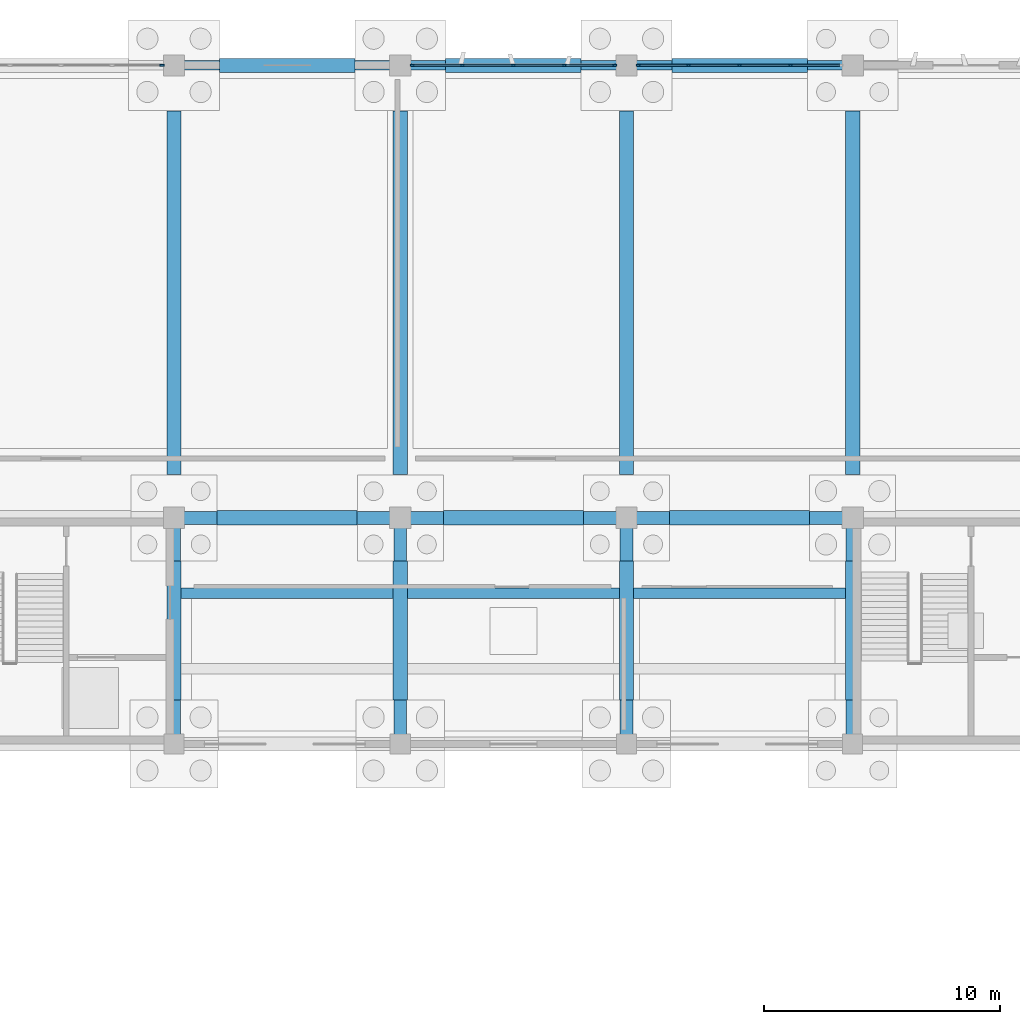
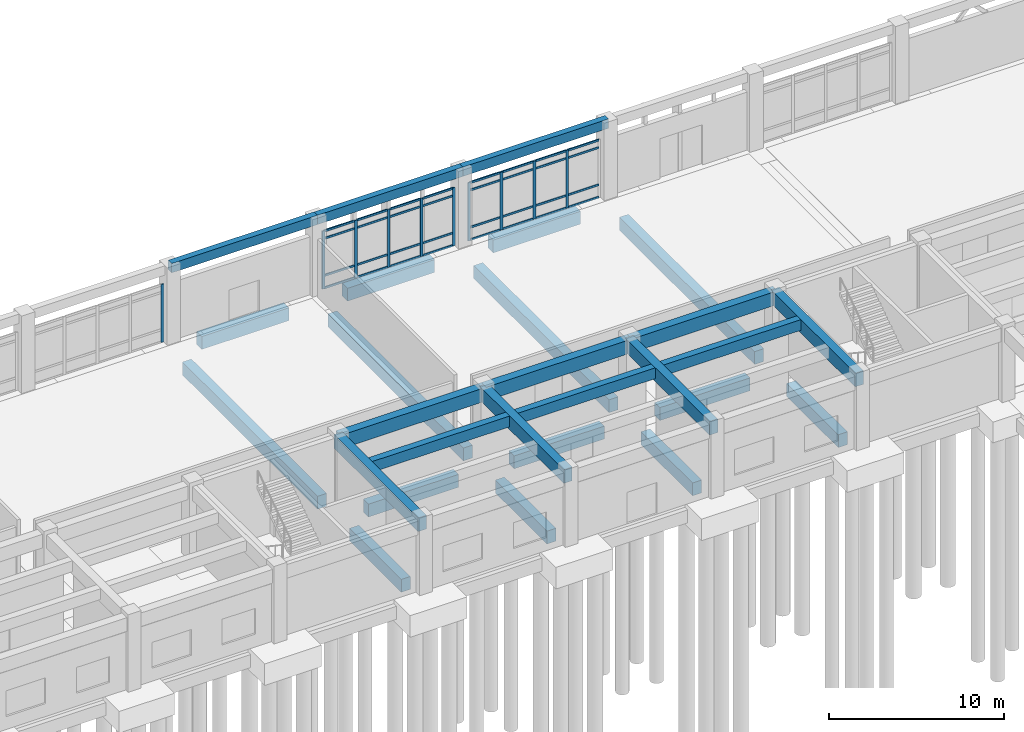
# One storey, part 39 of 102: 42 members, 27 beams, 3 elements without a shape of their own.
"""IFC4 building model written with IfcOpenShell, lengths in metres."""

from ifc_helpers import new_model, si_unit, direction, frame, origin, origin_2d, place, context, subcontext, project, spatial, rectangle, extrude, material, layer, layer_set, material_profile, profile_set, type_object, element, aggregate, save


model = new_model("IFC4")

# Units and contexts
model_context = context("Model", 3, precision=1e-05, world=origin(), true_north=direction((0.0, 1.0)))
body_context = subcontext(model_context, "Body", "Model", "MODEL_VIEW")
ifc_project = project(units=[si_unit("LENGTHUNIT", "METRE"), si_unit("AREAUNIT", "SQUARE_METRE"), si_unit("VOLUMEUNIT", "CUBIC_METRE"), si_unit("PLANEANGLEUNIT", "RADIAN"), si_unit("MASSUNIT", "GRAM", prefix="KILO")], contexts=[model_context])

# Site, building, storey
site_placement = place(None, origin())
site = spatial("IfcSite", under=ifc_project, at=site_placement, CompositionType="ELEMENT")
building_placement = place(site_placement, origin())
building = spatial("IfcBuilding", under=site, at=building_placement, Name="Kolvemor Railside Polytechnic", CompositionType="ELEMENT")
storey_placement = place(building_placement, origin())
storey = spatial("IfcBuildingStorey", under=building, at=storey_placement, Name="L00", CompositionType="ELEMENT", Elevation=0.0)

# Beams
ifc_material_1 = material(Name="Concrete C40/50", Category="concrete")
ifc_material_profile_1 = material_profile(ifc_material_1, rectangle(XDim=0.39990234375, YDim=0.64990234375, at=origin_2d()), Name="RC400x650")
ifc_profile_set_1 = profile_set([ifc_material_profile_1], Name="Concrete C40/50")
beam_type_1 = type_object("IfcBeamType", Name="BM-RC-EDGE", PredefinedType="LINTEL", material=ifc_profile_set_1)
beam_1_placement = place(storey_placement, frame((96.0, 120.0, 5.074951171875), z_axis=(1.0, 0.0, 0.0), x_axis=(0.0, 1.0, 0.0)))
element("IfcBeam", 1, at=beam_1_placement, inside=storey, type_object=beam_type_1, Name="Workshop L01 Spandrel 2017", PredefinedType="LINTEL", context=body_context, shape_type="SweptSolid", body=[
    extrude(rectangle(XDim=0.39990234375, YDim=0.64990234375, at=origin_2d()), origin(), (0.0, 0.0, 1.0), 9.60009765625),
])
beam_2_placement = place(storey_placement, frame((105.60009765625, 120.0, 5.074951171875), z_axis=(1.0, 0.0, 0.0), x_axis=(0.0, 1.0, 0.0)))
element("IfcBeam", 2, at=beam_2_placement, inside=storey, type_object=beam_type_1, Name="Workshop L01 Spandrel 2018", PredefinedType="LINTEL", context=body_context, shape_type="SweptSolid", body=[
    extrude(rectangle(XDim=0.39990234375, YDim=0.64990234375, at=origin_2d()), origin(), (0.0, 0.0, 1.0), 9.599853515625),
])
beam_3_placement = place(storey_placement, frame((115.199951171875, 120.0, 5.074951171875), z_axis=(1.0, 0.0, 0.0), x_axis=(0.0, 1.0, 0.0)))
element("IfcBeam", 3, at=beam_3_placement, inside=storey, type_object=beam_type_1, Name="Workshop L01 Spandrel 2019", PredefinedType="LINTEL", context=body_context, shape_type="SweptSolid", body=[
    extrude(rectangle(XDim=0.39990234375, YDim=0.64990234375, at=origin_2d()), origin(), (0.0, 0.0, 1.0), 9.60009765625),
])
ifc_material_2 = material(Name="Concrete C40/50", Category="concrete")
ifc_material_profile_2 = material_profile(ifc_material_2, rectangle(XDim=0.550048828125, YDim=0.949951171875, at=origin_2d()), Name="RC550x950")
ifc_profile_set_2 = profile_set([ifc_material_profile_2], Name="Concrete C40/50")
beam_type_2 = type_object("IfcBeamType", Name="BM-RC-GIRD", PredefinedType="BEAM", material=ifc_profile_set_2)
beam_4_placement = place(storey_placement, frame((96.0, 100.800048828125, 4.635009765625), z_axis=(1.0, 0.0, 0.0), x_axis=(0.0, 1.0, 0.0)))
element("IfcBeam", 4, at=beam_4_placement, inside=storey, type_object=beam_type_2, Name="Primary Girder L01-GX 0513", PredefinedType="BEAM", context=body_context, shape_type="SweptSolid", body=[
    extrude(rectangle(XDim=0.550048828125, YDim=0.949951171875, at=origin_2d()), origin(), (0.0, 0.0, 1.0), 9.60009765625),
])
beam_5_placement = place(storey_placement, frame((105.60009765625, 100.800048828125, 4.635009765625), z_axis=(1.0, 0.0, 0.0), x_axis=(0.0, 1.0, 0.0)))
element("IfcBeam", 5, at=beam_5_placement, inside=storey, type_object=beam_type_2, Name="Primary Girder L01-GX 0514", PredefinedType="BEAM", context=body_context, shape_type="SweptSolid", body=[
    extrude(rectangle(XDim=0.550048828125, YDim=0.949951171875, at=origin_2d()), origin(), (0.0, 0.0, 1.0), 9.599853515625),
])
for number, where, z_axis, x_axis, name in (
    (6, (115.199951171875, 100.800048828125, 4.635009765625), (1.0, 0.0, 0.0), (0.0, 1.0, 0.0), "Primary Girder L01-GX 0515"),
    (7, (96.0, 91.199951171875, 4.635009765625), (0.0, 1.0, 0.0), (-1.0, 0.0, 0.0), "Primary Girder L01-GY 0527"),
    (8, (105.60009765625, 91.199951171875, 4.635009765625), (0.0, 1.0, 0.0), (-1.0, 0.0, 0.0), "Primary Girder L01-GY 0528"),
    (9, (115.199951171875, 91.199951171875, 4.635009765625), (0.0, 1.0, 0.0), (-1.0, 0.0, 0.0), "Primary Girder L01-GY 0529"),
    (10, (124.800048828125, 91.199951171875, 4.635009765625), (0.0, 1.0, 0.0), (-1.0, 0.0, 0.0), "Primary Girder L01-GY 0530"),
):
    element("IfcBeam", number, at=place(storey_placement, frame(where, z_axis=z_axis, x_axis=x_axis)), inside=storey, type_object=beam_type_2, Name=name, PredefinedType="BEAM", context=body_context, shape_type="SweptSolid", body=[
        extrude(rectangle(XDim=0.550048828125, YDim=0.949951171875, at=origin_2d()), origin(), (0.0, 0.0, 1.0), 9.60009765625),
    ])
ifc_material_3 = material(Name="Concrete C40/50", Category="concrete")
ifc_material_profile_3 = material_profile(ifc_material_3, rectangle(XDim=0.449951171875, YDim=0.75, at=origin_2d()), Name="RC450x750")
ifc_profile_set_3 = profile_set([ifc_material_profile_3], Name="Concrete C40/50")
beam_type_3 = type_object("IfcBeamType", Name="BM-RC-SEC", PredefinedType="JOIST", material=ifc_profile_set_3)
for number, where, z_axis, x_axis, name in (
    (11, (96.27490234375, 97.60009765625, 4.735107421875), (1.0, 0.0, 0.0), (0.0, 1.0, 0.0), "Floor Joist L01-J0549"),
    (12, (105.875, 97.60009765625, 4.735107421875), (1.0, 0.0, 0.0), (0.0, 1.0, 0.0), "Floor Joist L01-J0551"),
):
    element("IfcBeam", number, at=place(storey_placement, frame(where, z_axis=z_axis, x_axis=x_axis)), inside=storey, type_object=beam_type_3, Name=name, PredefinedType="JOIST", context=body_context, shape_type="SweptSolid", body=[
        extrude(rectangle(XDim=0.449951171875, YDim=0.75, at=origin_2d()), origin(), (0.0, 0.0, 1.0), 9.050048828125),
    ])
beam_6_placement = place(storey_placement, frame((115.47509765625, 97.60009765625, 4.735107421875), z_axis=(1.0, 0.0, 0.0), x_axis=(0.0, 1.0, 0.0)))
element("IfcBeam", 13, at=beam_6_placement, inside=storey, type_object=beam_type_3, Name="Floor Joist L01-J0553", PredefinedType="JOIST", context=body_context, shape_type="SweptSolid", body=[
    extrude(rectangle(XDim=0.449951171875, YDim=0.75, at=origin_2d()), origin(), (0.0, 0.0, 1.0), 9.0498046875),
])
ifc_material_4 = material(Name="Concrete C40/50", Category="concrete")
ifc_material_profile_4 = material_profile(ifc_material_4, rectangle(XDim=0.60009765625, YDim=0.89990234375, at=origin_2d()), Name="RC600x900")
ifc_profile_set_4 = profile_set([ifc_material_profile_4], Name="Concrete C40/50")
beam_type_4 = type_object("IfcBeamType", Name="BM-RC-TIE", PredefinedType="BEAM", material=ifc_profile_set_4)
for number, where, z_axis, x_axis, name in (
    (14, (97.826904296875, 100.800048828125, -0.75), (1.0, 0.0, 0.0), (0.0, 1.0, 0.0), "Ground Tie Beam GTB-X208"),
    (15, (107.427001953125, 100.800048828125, -0.75), (1.0, 0.0, 0.0), (0.0, 1.0, 0.0), "Ground Tie Beam GTB-X209"),
):
    element("IfcBeam", number, at=place(storey_placement, frame(where, z_axis=z_axis, x_axis=x_axis)), inside=storey, type_object=beam_type_4, Name=name, PredefinedType="BEAM", context=body_context, shape_type="SweptSolid", body=[
        extrude(rectangle(XDim=0.60009765625, YDim=0.89990234375, at=origin_2d()), origin(), (0.0, 0.0, 1.0), 5.946044921875),
    ])
beam_7_placement = place(storey_placement, frame((117.027099609375, 100.800048828125, -0.75), z_axis=(1.0, 0.0, 0.0), x_axis=(0.0, 1.0, 0.0)))
element("IfcBeam", 16, at=beam_7_placement, inside=storey, type_object=beam_type_4, Name="Ground Tie Beam GTB-X210", PredefinedType="BEAM", context=body_context, shape_type="SweptSolid", body=[
    extrude(rectangle(XDim=0.60009765625, YDim=0.89990234375, at=origin_2d()), origin(), (0.0, 0.0, 1.0), 5.94580078125),
])
beam_8_placement = place(storey_placement, frame((97.927001953125, 120.0, -0.75), z_axis=(1.0, 0.0, 0.0), x_axis=(0.0, 1.0, 0.0)))
element("IfcBeam", 17, at=beam_8_placement, inside=storey, type_object=beam_type_4, Name="Ground Tie Beam GTB-X222", PredefinedType="BEAM", context=body_context, shape_type="SweptSolid", body=[
    extrude(rectangle(XDim=0.60009765625, YDim=0.89990234375, at=origin_2d()), origin(), (0.0, 0.0, 1.0), 5.74609375),
])
beam_9_placement = place(storey_placement, frame((107.527099609375, 120.0, -0.75), z_axis=(1.0, 0.0, 0.0), x_axis=(0.0, 1.0, 0.0)))
element("IfcBeam", 18, at=beam_9_placement, inside=storey, type_object=beam_type_4, Name="Ground Tie Beam GTB-X223", PredefinedType="BEAM", context=body_context, shape_type="SweptSolid", body=[
    extrude(rectangle(XDim=0.60009765625, YDim=0.89990234375, at=origin_2d()), origin(), (0.0, 0.0, 1.0), 5.745849609375),
])
beam_10_placement = place(storey_placement, frame((117.126953125, 120.0, -0.75), z_axis=(1.0, 0.0, 0.0), x_axis=(0.0, 1.0, 0.0)))
element("IfcBeam", 19, at=beam_10_placement, inside=storey, type_object=beam_type_4, Name="Ground Tie Beam GTB-X224", PredefinedType="BEAM", context=body_context, shape_type="SweptSolid", body=[
    extrude(rectangle(XDim=0.60009765625, YDim=0.89990234375, at=origin_2d()), origin(), (0.0, 0.0, 1.0), 5.74609375),
])
beam_11_placement = place(storey_placement, frame((96.0, 93.076904296875, -0.75), z_axis=(0.0, 1.0, 0.0), x_axis=(-1.0, 0.0, 0.0)))
element("IfcBeam", 20, at=beam_11_placement, inside=storey, type_object=beam_type_4, Name="Ground Tie Beam GTB-Y348", PredefinedType="BEAM", context=body_context, shape_type="SweptSolid", body=[
    extrude(rectangle(XDim=0.60009765625, YDim=0.89990234375, at=origin_2d()), origin(), (0.0, 0.0, 1.0), 5.89599609375),
])
beam_12_placement = place(storey_placement, frame((96.0, 102.626953125, -0.75), z_axis=(0.0, 1.0, 0.0), x_axis=(-1.0, 0.0, 0.0)))
element("IfcBeam", 21, at=beam_12_placement, inside=storey, type_object=beam_type_4, Name="Ground Tie Beam GTB-Y349", PredefinedType="BEAM", context=body_context, shape_type="SweptSolid", body=[
    extrude(rectangle(XDim=0.60009765625, YDim=0.89990234375, at=origin_2d()), origin(), (0.0, 0.0, 1.0), 15.446044921875),
])
beam_13_placement = place(storey_placement, frame((105.60009765625, 93.076904296875, -0.75), z_axis=(0.0, 1.0, 0.0), x_axis=(-1.0, 0.0, 0.0)))
element("IfcBeam", 22, at=beam_13_placement, inside=storey, type_object=beam_type_4, Name="Ground Tie Beam GTB-Y356", PredefinedType="BEAM", context=body_context, shape_type="SweptSolid", body=[
    extrude(rectangle(XDim=0.60009765625, YDim=0.89990234375, at=origin_2d()), origin(), (0.0, 0.0, 1.0), 5.89599609375),
])
beam_14_placement = place(storey_placement, frame((105.60009765625, 102.626953125, -0.75), z_axis=(0.0, 1.0, 0.0), x_axis=(-1.0, 0.0, 0.0)))
element("IfcBeam", 23, at=beam_14_placement, inside=storey, type_object=beam_type_4, Name="Ground Tie Beam GTB-Y357", PredefinedType="BEAM", context=body_context, shape_type="SweptSolid", body=[
    extrude(rectangle(XDim=0.60009765625, YDim=0.89990234375, at=origin_2d()), origin(), (0.0, 0.0, 1.0), 15.446044921875),
])
beam_15_placement = place(storey_placement, frame((115.199951171875, 93.076904296875, -0.75), z_axis=(0.0, 1.0, 0.0), x_axis=(-1.0, 0.0, 0.0)))
element("IfcBeam", 24, at=beam_15_placement, inside=storey, type_object=beam_type_4, Name="Ground Tie Beam GTB-Y364", PredefinedType="BEAM", context=body_context, shape_type="SweptSolid", body=[
    extrude(rectangle(XDim=0.60009765625, YDim=0.89990234375, at=origin_2d()), origin(), (0.0, 0.0, 1.0), 5.89599609375),
])
beam_16_placement = place(storey_placement, frame((115.199951171875, 102.626953125, -0.75), z_axis=(0.0, 1.0, 0.0), x_axis=(-1.0, 0.0, 0.0)))
element("IfcBeam", 25, at=beam_16_placement, inside=storey, type_object=beam_type_4, Name="Ground Tie Beam GTB-Y365", PredefinedType="BEAM", context=body_context, shape_type="SweptSolid", body=[
    extrude(rectangle(XDim=0.60009765625, YDim=0.89990234375, at=origin_2d()), origin(), (0.0, 0.0, 1.0), 15.446044921875),
])
beam_17_placement = place(storey_placement, frame((124.800048828125, 93.076904296875, -0.75), z_axis=(0.0, 1.0, 0.0), x_axis=(-1.0, 0.0, 0.0)))
element("IfcBeam", 26, at=beam_17_placement, inside=storey, type_object=beam_type_4, Name="Ground Tie Beam GTB-Y376", PredefinedType="BEAM", context=body_context, shape_type="SweptSolid", body=[
    extrude(rectangle(XDim=0.60009765625, YDim=0.89990234375, at=origin_2d()), origin(), (0.0, 0.0, 1.0), 5.89599609375),
])
beam_18_placement = place(storey_placement, frame((124.800048828125, 102.626953125, -0.75), z_axis=(0.0, 1.0, 0.0), x_axis=(-1.0, 0.0, 0.0)))
element("IfcBeam", 27, at=beam_18_placement, inside=storey, type_object=beam_type_4, Name="Ground Tie Beam GTB-Y377", PredefinedType="BEAM", context=body_context, shape_type="SweptSolid", body=[
    extrude(rectangle(XDim=0.60009765625, YDim=0.89990234375, at=origin_2d()), origin(), (0.0, 0.0, 1.0), 15.446044921875),
])

# Curtain wall, member
ifc_material_5 = material(Name="Anodised marine aluminium and laminated low-E glass", Category="aluminium")
ifc_layer = layer(ifc_material_5, 0.179931640625, Name="CW-UNIT-WKS")
ifc_layer_set = layer_set([ifc_layer], Name="Anodised marine aluminium and laminated low-E glass")
curtain_wall_type = type_object("IfcCurtainWallType", Name="CW-UNIT-WKS", PredefinedType="USERDEFINED", material=ifc_layer_set)
curtain_wall_1_placement = place(storey_placement, origin())
curtain_wall_1 = element("IfcCurtainWall", 28, at=curtain_wall_1_placement, inside=storey, type_object=curtain_wall_type, Name="Curtain Wall L00-015", ObjectType="UNITISED CURTAIN WALL", PredefinedType="USERDEFINED")
ifc_material_6 = material(Name="Anodised marine aluminium 6063-T6", Category="aluminium")
ifc_material_profile_5 = material_profile(ifc_material_6, rectangle(XDim=0.074951171875, YDim=0.179931640625, at=origin_2d()), Name="CW-MUL-75x180")
ifc_profile_set_5 = profile_set([ifc_material_profile_5], Name="Anodised marine aluminium 6063-T6")
member_type_1 = type_object("IfcMemberType", Name="CWM-75x180", PredefinedType="MULLION", material=ifc_profile_set_5)
member_1_placement = place(storey_placement, frame((95.492431640625, 120.0, 0.0), z_axis=(0.0, 0.0, 1.0), x_axis=(0.0, -1.0, 0.0)))
member_1 = element("IfcMember", 29, at=member_1_placement, type_object=member_type_1, Name="CW-WKS mullion 1", PredefinedType="MULLION", context=body_context, shape_type="SweptSolid", body=[
    extrude(rectangle(XDim=0.074951171875, YDim=0.179931640625, at=origin_2d()), origin(), (0.0, 0.0, 1.0), 4.0400390625),
])
aggregate(curtain_wall_1, [member_1])

# Curtain wall, members
curtain_wall_2_placement = place(storey_placement, origin())
curtain_wall_2 = element("IfcCurtainWall", 30, at=curtain_wall_2_placement, inside=storey, type_object=curtain_wall_type, Name="Curtain Wall L00-019", ObjectType="UNITISED CURTAIN WALL", PredefinedType="USERDEFINED")
member_2_placement = place(storey_placement, frame((114.6923828125, 120.0, 0.0), z_axis=(0.0, 0.0, 1.0), x_axis=(0.0, -1.0, 0.0)))
member_2 = element("IfcMember", 31, at=member_2_placement, type_object=member_type_1, Name="CW-WKS mullion 1", PredefinedType="MULLION", context=body_context, shape_type="SweptSolid", body=[
    extrude(rectangle(XDim=0.074951171875, YDim=0.179931640625, at=origin_2d()), origin(), (0.0, 0.0, 1.0), 4.0400390625),
])
member_3_placement = place(storey_placement, frame((112.56494140625, 120.0, 0.0), z_axis=(0.0, 0.0, 1.0), x_axis=(0.0, -1.0, 0.0)))
member_3 = element("IfcMember", 32, at=member_3_placement, type_object=member_type_1, Name="CW-WKS mullion 2", PredefinedType="MULLION", context=body_context, shape_type="SweptSolid", body=[
    extrude(rectangle(XDim=0.074951171875, YDim=0.179931640625, at=origin_2d()), origin(), (0.0, 0.0, 1.0), 4.0400390625),
])
member_4_placement = place(storey_placement, frame((110.39990234375, 120.0, 0.0), z_axis=(0.0, 0.0, 1.0), x_axis=(0.0, -1.0, 0.0)))
member_4 = element("IfcMember", 33, at=member_4_placement, type_object=member_type_1, Name="CW-WKS mullion 3", PredefinedType="MULLION", context=body_context, shape_type="SweptSolid", body=[
    extrude(rectangle(XDim=0.074951171875, YDim=0.179931640625, at=origin_2d()), origin(), (0.0, 0.0, 1.0), 4.0400390625),
])
member_5_placement = place(storey_placement, frame((108.235107421875, 120.0, 0.0), z_axis=(0.0, 0.0, 1.0), x_axis=(0.0, -1.0, 0.0)))
member_5 = element("IfcMember", 34, at=member_5_placement, type_object=member_type_1, Name="CW-WKS mullion 4", PredefinedType="MULLION", context=body_context, shape_type="SweptSolid", body=[
    extrude(rectangle(XDim=0.074951171875, YDim=0.179931640625, at=origin_2d()), origin(), (0.0, 0.0, 1.0), 4.0400390625),
])
member_6_placement = place(storey_placement, frame((106.107421875, 120.0, 0.0), z_axis=(0.0, 0.0, 1.0), x_axis=(0.0, -1.0, 0.0)))
member_6 = element("IfcMember", 35, at=member_6_placement, type_object=member_type_1, Name="CW-WKS mullion 5", PredefinedType="MULLION", context=body_context, shape_type="SweptSolid", body=[
    extrude(rectangle(XDim=0.074951171875, YDim=0.179931640625, at=origin_2d()), origin(), (0.0, 0.0, 1.0), 4.0400390625),
])

curtain_wall_3_placement = place(storey_placement, origin())
curtain_wall_3 = element("IfcCurtainWall", 36, at=curtain_wall_3_placement, inside=storey, type_object=curtain_wall_type, Name="Curtain Wall L00-022", ObjectType="UNITISED CURTAIN WALL", PredefinedType="USERDEFINED")
member_7_placement = place(storey_placement, frame((122.1650390625, 120.0, 0.0), z_axis=(0.0, 0.0, 1.0), x_axis=(0.0, -1.0, 0.0)))
member_7 = element("IfcMember", 37, at=member_7_placement, type_object=member_type_1, Name="CW-WKS mullion 2", PredefinedType="MULLION", context=body_context, shape_type="SweptSolid", body=[
    extrude(rectangle(XDim=0.074951171875, YDim=0.179931640625, at=origin_2d()), origin(), (0.0, 0.0, 1.0), 4.0400390625),
])
member_8_placement = place(storey_placement, frame((120.0, 120.0, 0.0), z_axis=(0.0, 0.0, 1.0), x_axis=(0.0, -1.0, 0.0)))
member_8 = element("IfcMember", 38, at=member_8_placement, type_object=member_type_1, Name="CW-WKS mullion 3", PredefinedType="MULLION", context=body_context, shape_type="SweptSolid", body=[
    extrude(rectangle(XDim=0.074951171875, YDim=0.179931640625, at=origin_2d()), origin(), (0.0, 0.0, 1.0), 4.0400390625),
])
member_9_placement = place(storey_placement, frame((117.8349609375, 120.0, 0.0), z_axis=(0.0, 0.0, 1.0), x_axis=(0.0, -1.0, 0.0)))
member_9 = element("IfcMember", 39, at=member_9_placement, type_object=member_type_1, Name="CW-WKS mullion 4", PredefinedType="MULLION", context=body_context, shape_type="SweptSolid", body=[
    extrude(rectangle(XDim=0.074951171875, YDim=0.179931640625, at=origin_2d()), origin(), (0.0, 0.0, 1.0), 4.0400390625),
])
member_10_placement = place(storey_placement, frame((115.70751953125, 120.0, 0.0), z_axis=(0.0, 0.0, 1.0), x_axis=(0.0, -1.0, 0.0)))
member_10 = element("IfcMember", 40, at=member_10_placement, type_object=member_type_1, Name="CW-WKS mullion 5", PredefinedType="MULLION", context=body_context, shape_type="SweptSolid", body=[
    extrude(rectangle(XDim=0.074951171875, YDim=0.179931640625, at=origin_2d()), origin(), (0.0, 0.0, 1.0), 4.0400390625),
])

# Member
ifc_material_7 = material(Name="Anodised marine aluminium 6063-T6", Category="aluminium")
ifc_material_profile_6 = material_profile(ifc_material_7, rectangle(XDim=0.074951171875, YDim=0.139892578125, at=origin_2d()), Name="CW-TRN-75x140")
ifc_profile_set_6 = profile_set([ifc_material_profile_6], Name="Anodised marine aluminium 6063-T6")
member_type_2 = type_object("IfcMemberType", Name="CWT-75x140", PredefinedType="USERDEFINED", material=ifc_profile_set_6)
member_11_placement = place(storey_placement, frame((114.655029296875, 120.0, 0.03759765625), z_axis=(-1.0, 0.0, 0.0), x_axis=(0.0, -1.0, 0.0)))
member_11 = element("IfcMember", 41, at=member_11_placement, type_object=member_type_2, Name="CW-WKS transom 1.1", ObjectType="TRANSOM", PredefinedType="USERDEFINED", context=body_context, shape_type="SweptSolid", body=[
    extrude(rectangle(XDim=0.074951171875, YDim=0.139892578125, at=origin_2d()), origin(), (0.0, 0.0, 1.0), 2.052490234375),
])

member_12_placement = place(storey_placement, frame((114.655029296875, 120.0, 0.89990234375), z_axis=(-1.0, 0.0, 0.0), x_axis=(0.0, -1.0, 0.0)))
member_12 = element("IfcMember", 42, at=member_12_placement, type_object=member_type_2, Name="CW-WKS transom 1.2", ObjectType="TRANSOM", PredefinedType="USERDEFINED", context=body_context, shape_type="SweptSolid", body=[
    extrude(rectangle(XDim=0.074951171875, YDim=0.139892578125, at=origin_2d()), origin(), (0.0, 0.0, 1.0), 2.052490234375),
])

member_13_placement = place(storey_placement, frame((114.655029296875, 120.0, 3.489990234375), z_axis=(-1.0, 0.0, 0.0), x_axis=(0.0, -1.0, 0.0)))
member_13 = element("IfcMember", 43, at=member_13_placement, type_object=member_type_2, Name="CW-WKS transom 1.3", ObjectType="TRANSOM", PredefinedType="USERDEFINED", context=body_context, shape_type="SweptSolid", body=[
    extrude(rectangle(XDim=0.074951171875, YDim=0.139892578125, at=origin_2d()), origin(), (0.0, 0.0, 1.0), 2.052490234375),
])

member_14_placement = place(storey_placement, frame((114.655029296875, 120.0, 4.00244140625), z_axis=(-1.0, 0.0, 0.0), x_axis=(0.0, -1.0, 0.0)))
member_14 = element("IfcMember", 44, at=member_14_placement, type_object=member_type_2, Name="CW-WKS transom 1.4", ObjectType="TRANSOM", PredefinedType="USERDEFINED", context=body_context, shape_type="SweptSolid", body=[
    extrude(rectangle(XDim=0.074951171875, YDim=0.139892578125, at=origin_2d()), origin(), (0.0, 0.0, 1.0), 2.052490234375),
])

member_15_placement = place(storey_placement, frame((112.527587890625, 120.0, 0.03759765625), z_axis=(-1.0, 0.0, 0.0), x_axis=(0.0, -1.0, 0.0)))
member_15 = element("IfcMember", 45, at=member_15_placement, type_object=member_type_2, Name="CW-WKS transom 2.1", ObjectType="TRANSOM", PredefinedType="USERDEFINED", context=body_context, shape_type="SweptSolid", body=[
    extrude(rectangle(XDim=0.074951171875, YDim=0.139892578125, at=origin_2d()), origin(), (0.0, 0.0, 1.0), 2.090087890625),
])

member_16_placement = place(storey_placement, frame((112.527587890625, 120.0, 0.89990234375), z_axis=(-1.0, 0.0, 0.0), x_axis=(0.0, -1.0, 0.0)))
member_16 = element("IfcMember", 46, at=member_16_placement, type_object=member_type_2, Name="CW-WKS transom 2.2", ObjectType="TRANSOM", PredefinedType="USERDEFINED", context=body_context, shape_type="SweptSolid", body=[
    extrude(rectangle(XDim=0.074951171875, YDim=0.139892578125, at=origin_2d()), origin(), (0.0, 0.0, 1.0), 2.090087890625),
])

member_17_placement = place(storey_placement, frame((112.527587890625, 120.0, 3.489990234375), z_axis=(-1.0, 0.0, 0.0), x_axis=(0.0, -1.0, 0.0)))
member_17 = element("IfcMember", 47, at=member_17_placement, type_object=member_type_2, Name="CW-WKS transom 2.3", ObjectType="TRANSOM", PredefinedType="USERDEFINED", context=body_context, shape_type="SweptSolid", body=[
    extrude(rectangle(XDim=0.074951171875, YDim=0.139892578125, at=origin_2d()), origin(), (0.0, 0.0, 1.0), 2.090087890625),
])

member_18_placement = place(storey_placement, frame((112.527587890625, 120.0, 4.00244140625), z_axis=(-1.0, 0.0, 0.0), x_axis=(0.0, -1.0, 0.0)))
member_18 = element("IfcMember", 48, at=member_18_placement, type_object=member_type_2, Name="CW-WKS transom 2.4", ObjectType="TRANSOM", PredefinedType="USERDEFINED", context=body_context, shape_type="SweptSolid", body=[
    extrude(rectangle(XDim=0.074951171875, YDim=0.139892578125, at=origin_2d()), origin(), (0.0, 0.0, 1.0), 2.090087890625),
])

member_19_placement = place(storey_placement, frame((110.362548828125, 120.0, 0.03759765625), z_axis=(-1.0, 0.0, 0.0), x_axis=(0.0, -1.0, 0.0)))
member_19 = element("IfcMember", 49, at=member_19_placement, type_object=member_type_2, Name="CW-WKS transom 3.1", ObjectType="TRANSOM", PredefinedType="USERDEFINED", context=body_context, shape_type="SweptSolid", body=[
    extrude(rectangle(XDim=0.074951171875, YDim=0.139892578125, at=origin_2d()), origin(), (0.0, 0.0, 1.0), 2.090087890625),
])

member_20_placement = place(storey_placement, frame((110.362548828125, 120.0, 0.89990234375), z_axis=(-1.0, 0.0, 0.0), x_axis=(0.0, -1.0, 0.0)))
member_20 = element("IfcMember", 50, at=member_20_placement, type_object=member_type_2, Name="CW-WKS transom 3.2", ObjectType="TRANSOM", PredefinedType="USERDEFINED", context=body_context, shape_type="SweptSolid", body=[
    extrude(rectangle(XDim=0.074951171875, YDim=0.139892578125, at=origin_2d()), origin(), (0.0, 0.0, 1.0), 2.090087890625),
])

member_21_placement = place(storey_placement, frame((110.362548828125, 120.0, 3.489990234375), z_axis=(-1.0, 0.0, 0.0), x_axis=(0.0, -1.0, 0.0)))
member_21 = element("IfcMember", 51, at=member_21_placement, type_object=member_type_2, Name="CW-WKS transom 3.3", ObjectType="TRANSOM", PredefinedType="USERDEFINED", context=body_context, shape_type="SweptSolid", body=[
    extrude(rectangle(XDim=0.074951171875, YDim=0.139892578125, at=origin_2d()), origin(), (0.0, 0.0, 1.0), 2.090087890625),
])

member_22_placement = place(storey_placement, frame((110.362548828125, 120.0, 4.00244140625), z_axis=(-1.0, 0.0, 0.0), x_axis=(0.0, -1.0, 0.0)))
member_22 = element("IfcMember", 52, at=member_22_placement, type_object=member_type_2, Name="CW-WKS transom 3.4", ObjectType="TRANSOM", PredefinedType="USERDEFINED", context=body_context, shape_type="SweptSolid", body=[
    extrude(rectangle(XDim=0.074951171875, YDim=0.139892578125, at=origin_2d()), origin(), (0.0, 0.0, 1.0), 2.090087890625),
])

member_23_placement = place(storey_placement, frame((108.197509765625, 120.0, 0.03759765625), z_axis=(-1.0, 0.0, 0.0), x_axis=(0.0, -1.0, 0.0)))
member_23 = element("IfcMember", 53, at=member_23_placement, type_object=member_type_2, Name="CW-WKS transom 4.1", ObjectType="TRANSOM", PredefinedType="USERDEFINED", context=body_context, shape_type="SweptSolid", body=[
    extrude(rectangle(XDim=0.074951171875, YDim=0.139892578125, at=origin_2d()), origin(), (0.0, 0.0, 1.0), 2.052490234375),
])

member_24_placement = place(storey_placement, frame((108.197509765625, 120.0, 0.89990234375), z_axis=(-1.0, 0.0, 0.0), x_axis=(0.0, -1.0, 0.0)))
member_24 = element("IfcMember", 54, at=member_24_placement, type_object=member_type_2, Name="CW-WKS transom 4.2", ObjectType="TRANSOM", PredefinedType="USERDEFINED", context=body_context, shape_type="SweptSolid", body=[
    extrude(rectangle(XDim=0.074951171875, YDim=0.139892578125, at=origin_2d()), origin(), (0.0, 0.0, 1.0), 2.052490234375),
])

member_25_placement = place(storey_placement, frame((108.197509765625, 120.0, 3.489990234375), z_axis=(-1.0, 0.0, 0.0), x_axis=(0.0, -1.0, 0.0)))
member_25 = element("IfcMember", 55, at=member_25_placement, type_object=member_type_2, Name="CW-WKS transom 4.3", ObjectType="TRANSOM", PredefinedType="USERDEFINED", context=body_context, shape_type="SweptSolid", body=[
    extrude(rectangle(XDim=0.074951171875, YDim=0.139892578125, at=origin_2d()), origin(), (0.0, 0.0, 1.0), 2.052490234375),
])

member_26_placement = place(storey_placement, frame((108.197509765625, 120.0, 4.00244140625), z_axis=(-1.0, 0.0, 0.0), x_axis=(0.0, -1.0, 0.0)))
member_26 = element("IfcMember", 56, at=member_26_placement, type_object=member_type_2, Name="CW-WKS transom 4.4", ObjectType="TRANSOM", PredefinedType="USERDEFINED", context=body_context, shape_type="SweptSolid", body=[
    extrude(rectangle(XDim=0.074951171875, YDim=0.139892578125, at=origin_2d()), origin(), (0.0, 0.0, 1.0), 2.052490234375),
])

aggregate(curtain_wall_2, [member_2, member_3, member_4, member_5, member_6, member_11, member_12, member_13, member_14, member_15, member_16, member_17, member_18, member_19, member_20, member_21, member_22, member_23, member_24, member_25, member_26])

member_27_placement = place(storey_placement, frame((124.2548828125, 120.0, 0.03759765625), z_axis=(-1.0, 0.0, 0.0), x_axis=(0.0, -1.0, 0.0)))
member_27 = element("IfcMember", 57, at=member_27_placement, type_object=member_type_2, Name="CW-WKS transom 1.1", ObjectType="TRANSOM", PredefinedType="USERDEFINED", context=body_context, shape_type="SweptSolid", body=[
    extrude(rectangle(XDim=0.074951171875, YDim=0.139892578125, at=origin_2d()), origin(), (0.0, 0.0, 1.0), 2.052490234375),
])

member_28_placement = place(storey_placement, frame((124.2548828125, 120.0, 0.89990234375), z_axis=(-1.0, 0.0, 0.0), x_axis=(0.0, -1.0, 0.0)))
member_28 = element("IfcMember", 58, at=member_28_placement, type_object=member_type_2, Name="CW-WKS transom 1.2", ObjectType="TRANSOM", PredefinedType="USERDEFINED", context=body_context, shape_type="SweptSolid", body=[
    extrude(rectangle(XDim=0.074951171875, YDim=0.139892578125, at=origin_2d()), origin(), (0.0, 0.0, 1.0), 2.052490234375),
])

member_29_placement = place(storey_placement, frame((124.2548828125, 120.0, 3.489990234375), z_axis=(-1.0, 0.0, 0.0), x_axis=(0.0, -1.0, 0.0)))
member_29 = element("IfcMember", 59, at=member_29_placement, type_object=member_type_2, Name="CW-WKS transom 1.3", ObjectType="TRANSOM", PredefinedType="USERDEFINED", context=body_context, shape_type="SweptSolid", body=[
    extrude(rectangle(XDim=0.074951171875, YDim=0.139892578125, at=origin_2d()), origin(), (0.0, 0.0, 1.0), 2.052490234375),
])

member_30_placement = place(storey_placement, frame((124.2548828125, 120.0, 4.00244140625), z_axis=(-1.0, 0.0, 0.0), x_axis=(0.0, -1.0, 0.0)))
member_30 = element("IfcMember", 60, at=member_30_placement, type_object=member_type_2, Name="CW-WKS transom 1.4", ObjectType="TRANSOM", PredefinedType="USERDEFINED", context=body_context, shape_type="SweptSolid", body=[
    extrude(rectangle(XDim=0.074951171875, YDim=0.139892578125, at=origin_2d()), origin(), (0.0, 0.0, 1.0), 2.052490234375),
])

member_31_placement = place(storey_placement, frame((122.12744140625, 120.0, 0.03759765625), z_axis=(-1.0, 0.0, 0.0), x_axis=(0.0, -1.0, 0.0)))
member_31 = element("IfcMember", 61, at=member_31_placement, type_object=member_type_2, Name="CW-WKS transom 2.1", ObjectType="TRANSOM", PredefinedType="USERDEFINED", context=body_context, shape_type="SweptSolid", body=[
    extrude(rectangle(XDim=0.074951171875, YDim=0.139892578125, at=origin_2d()), origin(), (0.0, 0.0, 1.0), 2.08984375),
])

member_32_placement = place(storey_placement, frame((122.12744140625, 120.0, 0.89990234375), z_axis=(-1.0, 0.0, 0.0), x_axis=(0.0, -1.0, 0.0)))
member_32 = element("IfcMember", 62, at=member_32_placement, type_object=member_type_2, Name="CW-WKS transom 2.2", ObjectType="TRANSOM", PredefinedType="USERDEFINED", context=body_context, shape_type="SweptSolid", body=[
    extrude(rectangle(XDim=0.074951171875, YDim=0.139892578125, at=origin_2d()), origin(), (0.0, 0.0, 1.0), 2.08984375),
])

member_33_placement = place(storey_placement, frame((122.12744140625, 120.0, 3.489990234375), z_axis=(-1.0, 0.0, 0.0), x_axis=(0.0, -1.0, 0.0)))
member_33 = element("IfcMember", 63, at=member_33_placement, type_object=member_type_2, Name="CW-WKS transom 2.3", ObjectType="TRANSOM", PredefinedType="USERDEFINED", context=body_context, shape_type="SweptSolid", body=[
    extrude(rectangle(XDim=0.074951171875, YDim=0.139892578125, at=origin_2d()), origin(), (0.0, 0.0, 1.0), 2.08984375),
])

member_34_placement = place(storey_placement, frame((122.12744140625, 120.0, 4.00244140625), z_axis=(-1.0, 0.0, 0.0), x_axis=(0.0, -1.0, 0.0)))
member_34 = element("IfcMember", 64, at=member_34_placement, type_object=member_type_2, Name="CW-WKS transom 2.4", ObjectType="TRANSOM", PredefinedType="USERDEFINED", context=body_context, shape_type="SweptSolid", body=[
    extrude(rectangle(XDim=0.074951171875, YDim=0.139892578125, at=origin_2d()), origin(), (0.0, 0.0, 1.0), 2.08984375),
])

member_35_placement = place(storey_placement, frame((119.96240234375, 120.0, 0.03759765625), z_axis=(-1.0, 0.0, 0.0), x_axis=(0.0, -1.0, 0.0)))
member_35 = element("IfcMember", 65, at=member_35_placement, type_object=member_type_2, Name="CW-WKS transom 3.1", ObjectType="TRANSOM", PredefinedType="USERDEFINED", context=body_context, shape_type="SweptSolid", body=[
    extrude(rectangle(XDim=0.074951171875, YDim=0.139892578125, at=origin_2d()), origin(), (0.0, 0.0, 1.0), 2.08984375),
])

member_36_placement = place(storey_placement, frame((119.96240234375, 120.0, 0.89990234375), z_axis=(-1.0, 0.0, 0.0), x_axis=(0.0, -1.0, 0.0)))
member_36 = element("IfcMember", 66, at=member_36_placement, type_object=member_type_2, Name="CW-WKS transom 3.2", ObjectType="TRANSOM", PredefinedType="USERDEFINED", context=body_context, shape_type="SweptSolid", body=[
    extrude(rectangle(XDim=0.074951171875, YDim=0.139892578125, at=origin_2d()), origin(), (0.0, 0.0, 1.0), 2.08984375),
])

member_37_placement = place(storey_placement, frame((119.96240234375, 120.0, 3.489990234375), z_axis=(-1.0, 0.0, 0.0), x_axis=(0.0, -1.0, 0.0)))
member_37 = element("IfcMember", 67, at=member_37_placement, type_object=member_type_2, Name="CW-WKS transom 3.3", ObjectType="TRANSOM", PredefinedType="USERDEFINED", context=body_context, shape_type="SweptSolid", body=[
    extrude(rectangle(XDim=0.074951171875, YDim=0.139892578125, at=origin_2d()), origin(), (0.0, 0.0, 1.0), 2.08984375),
])

member_38_placement = place(storey_placement, frame((119.96240234375, 120.0, 4.00244140625), z_axis=(-1.0, 0.0, 0.0), x_axis=(0.0, -1.0, 0.0)))
member_38 = element("IfcMember", 68, at=member_38_placement, type_object=member_type_2, Name="CW-WKS transom 3.4", ObjectType="TRANSOM", PredefinedType="USERDEFINED", context=body_context, shape_type="SweptSolid", body=[
    extrude(rectangle(XDim=0.074951171875, YDim=0.139892578125, at=origin_2d()), origin(), (0.0, 0.0, 1.0), 2.08984375),
])

member_39_placement = place(storey_placement, frame((117.797607421875, 120.0, 0.03759765625), z_axis=(-1.0, 0.0, 0.0), x_axis=(0.0, -1.0, 0.0)))
member_39 = element("IfcMember", 69, at=member_39_placement, type_object=member_type_2, Name="CW-WKS transom 4.1", ObjectType="TRANSOM", PredefinedType="USERDEFINED", context=body_context, shape_type="SweptSolid", body=[
    extrude(rectangle(XDim=0.074951171875, YDim=0.139892578125, at=origin_2d()), origin(), (0.0, 0.0, 1.0), 2.052490234375),
])

member_40_placement = place(storey_placement, frame((117.797607421875, 120.0, 0.89990234375), z_axis=(-1.0, 0.0, 0.0), x_axis=(0.0, -1.0, 0.0)))
member_40 = element("IfcMember", 70, at=member_40_placement, type_object=member_type_2, Name="CW-WKS transom 4.2", ObjectType="TRANSOM", PredefinedType="USERDEFINED", context=body_context, shape_type="SweptSolid", body=[
    extrude(rectangle(XDim=0.074951171875, YDim=0.139892578125, at=origin_2d()), origin(), (0.0, 0.0, 1.0), 2.052490234375),
])

member_41_placement = place(storey_placement, frame((117.797607421875, 120.0, 3.489990234375), z_axis=(-1.0, 0.0, 0.0), x_axis=(0.0, -1.0, 0.0)))
member_41 = element("IfcMember", 71, at=member_41_placement, type_object=member_type_2, Name="CW-WKS transom 4.3", ObjectType="TRANSOM", PredefinedType="USERDEFINED", context=body_context, shape_type="SweptSolid", body=[
    extrude(rectangle(XDim=0.074951171875, YDim=0.139892578125, at=origin_2d()), origin(), (0.0, 0.0, 1.0), 2.052490234375),
])

member_42_placement = place(storey_placement, frame((117.797607421875, 120.0, 4.00244140625), z_axis=(-1.0, 0.0, 0.0), x_axis=(0.0, -1.0, 0.0)))
member_42 = element("IfcMember", 72, at=member_42_placement, type_object=member_type_2, Name="CW-WKS transom 4.4", ObjectType="TRANSOM", PredefinedType="USERDEFINED", context=body_context, shape_type="SweptSolid", body=[
    extrude(rectangle(XDim=0.074951171875, YDim=0.139892578125, at=origin_2d()), origin(), (0.0, 0.0, 1.0), 2.052490234375),
])

aggregate(curtain_wall_3, [member_7, member_8, member_9, member_10, member_27, member_28, member_29, member_30, member_31, member_32, member_33, member_34, member_35, member_36, member_37, member_38, member_39, member_40, member_41, member_42])

save(model, "model.ifc")
